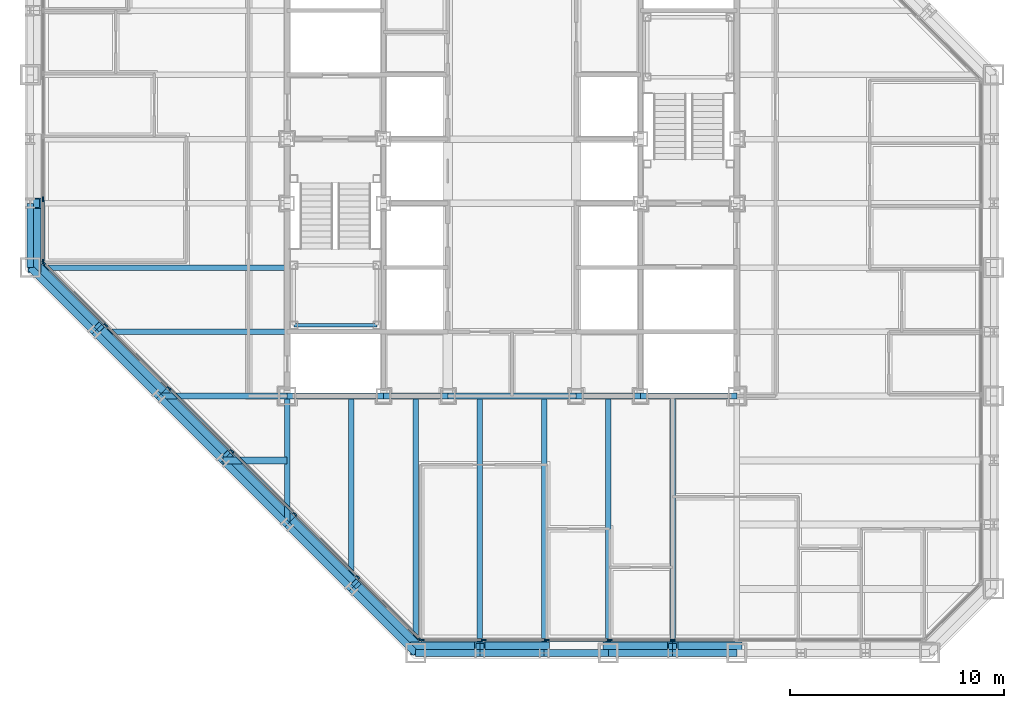
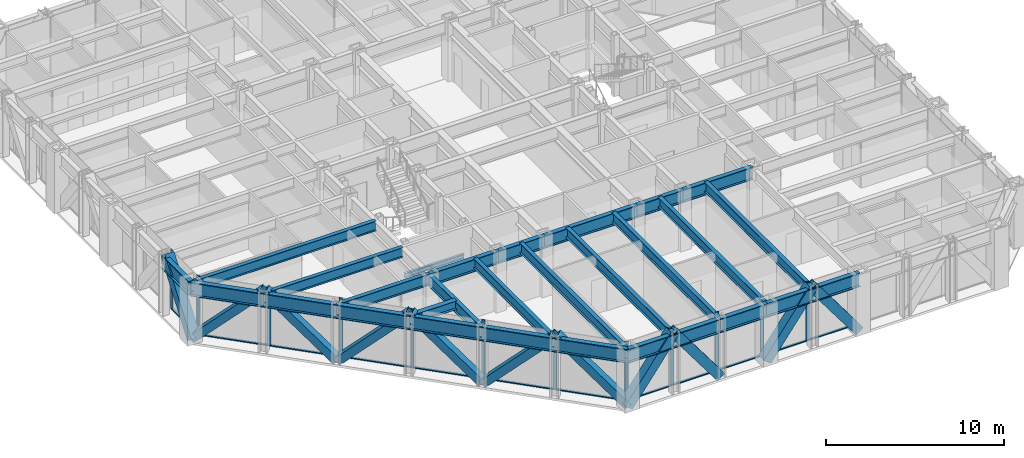
# One storey, part 4 of 16: 37 members, 29 beams, 3 elements without a shape of their own.
"""IFC4 building model written with IfcOpenShell, lengths in metres."""

from ifc_helpers import new_model, si_unit, direction, frame, origin, origin_2d, place, context, subcontext, project, spatial, rectangle, hollow_rectangle, i_section, extrude, material, layer, layer_set, material_profile, profile_set, type_object, element, aggregate, save


model = new_model("IFC4")

# Units and contexts
model_context = context("Model", 3, precision=1e-05, world=origin(), true_north=direction((0.0, 1.0)))
body_context = subcontext(model_context, "Body", "Model", "MODEL_VIEW")
ifc_project = project(units=[si_unit("LENGTHUNIT", "METRE"), si_unit("AREAUNIT", "SQUARE_METRE"), si_unit("VOLUMEUNIT", "CUBIC_METRE"), si_unit("PLANEANGLEUNIT", "RADIAN"), si_unit("MASSUNIT", "GRAM", prefix="KILO")], contexts=[model_context])

# Site, building, storey
site_placement = place(None, origin())
site = spatial("IfcSite", under=ifc_project, at=site_placement, CompositionType="ELEMENT")
building_placement = place(site_placement, origin())
building = spatial("IfcBuilding", under=site, at=building_placement, Name="Chuquiago Exchange Tower", CompositionType="ELEMENT")
storey_placement = place(building_placement, frame((0.0, 0.0, 127.800048828125)))
storey = spatial("IfcBuildingStorey", under=building, at=storey_placement, Name="L27", CompositionType="ELEMENT", Elevation=127.800048828125)

# Beams
ifc_material_1 = material(Name="Steel ASTM A992", Category="steel")
ifc_material_profile_1 = material_profile(ifc_material_1, i_section(OverallWidth=0.25390625, OverallDepth=0.683349609375, WebThickness=0.012451171875, FlangeThickness=0.018798828125, at=origin_2d()), Name="W27X94")
ifc_profile_set_1 = profile_set([ifc_material_profile_1], Name="Steel ASTM A992")
beam_type_1 = type_object("IfcBeamType", Name="B1 W27X94", PredefinedType="BEAM", material=ifc_profile_set_1)
beam_1_placement = place(storey_placement, frame((15.0, 12.0, 3.6982421875), z_axis=(0.0, -1.0, 0.0), x_axis=(1.0, 0.0, 0.0)))
element("IfcBeam", 1, at=beam_1_placement, inside=storey, type_object=beam_type_1, Name="FB-L28-infill-15_12-15_3-0", PredefinedType="BEAM", context=body_context, shape_type="SweptSolid", body=[
    extrude(i_section(OverallWidth=0.25390625, OverallDepth=0.683349609375, WebThickness=0.012451171875, FlangeThickness=0.018798828125, at=origin_2d()), origin(), (0.0, 0.0, 1.0), 9.0),
])
for number, where, z_axis, x_axis, name in (
    (2, (18.0, 12.0, 3.6982421875), (0.0, -1.0, 0.0), (1.0, 0.0, 0.0), "FB-L28-infill-18_12-18_-0-0"),
    (3, (21.0, 12.0, 3.6982421875), (0.0, -1.0, 0.0), (1.0, 0.0, 0.0), "FB-L28-infill-21_12-21_-0-0"),
    (4, (24.0, 12.0, 3.6982421875), (0.0, -1.0, 0.0), (1.0, 0.0, 0.0), "FB-L28-infill-24_12-24_-0-0"),
    (5, (27.0, 12.0, 3.6982421875), (0.0, -1.0, 0.0), (1.0, 0.0, 0.0), "FB-L28-infill-27_12-27_-0-0"),
    (6, (30.0, 12.0, 3.6982421875), (0.0, -1.0, 0.0), (1.0, 0.0, 0.0), "FB-L28-infill-30_12-30_-0-0"),
):
    element("IfcBeam", number, at=place(storey_placement, frame(where, z_axis=z_axis, x_axis=x_axis)), inside=storey, type_object=beam_type_1, Name=name, PredefinedType="BEAM", context=body_context, shape_type="SweptSolid", body=[
        extrude(i_section(OverallWidth=0.25390625, OverallDepth=0.683349609375, WebThickness=0.012451171875, FlangeThickness=0.018798828125, at=origin_2d()), origin(), (0.0, 0.0, 1.0), 12.0),
    ])
beam_2_placement = place(storey_placement, frame((12.0, 15.0, 3.6982421875), z_axis=(-1.0, 0.0, 0.0), x_axis=(0.0, -1.0, 0.0)))
element("IfcBeam", 7, at=beam_2_placement, inside=storey, type_object=beam_type_1, Name="FB-L28-infill-12_15-3_15-0", PredefinedType="BEAM", context=body_context, shape_type="SweptSolid", body=[
    extrude(i_section(OverallWidth=0.25390625, OverallDepth=0.683349609375, WebThickness=0.012451171875, FlangeThickness=0.018798828125, at=origin_2d()), origin(), (0.0, 0.0, 1.0), 9.0),
])
beam_3_placement = place(storey_placement, frame((12.0, 18.0, 3.6982421875), z_axis=(-1.0, 0.0, 0.0), x_axis=(0.0, -1.0, 0.0)))
element("IfcBeam", 8, at=beam_3_placement, inside=storey, type_object=beam_type_1, Name="FB-L28-infill-12_18--0_18-0", PredefinedType="BEAM", context=body_context, shape_type="SweptSolid", body=[
    extrude(i_section(OverallWidth=0.25390625, OverallDepth=0.683349609375, WebThickness=0.012451171875, FlangeThickness=0.018798828125, at=origin_2d()), origin(), (0.0, 0.0, 1.0), 12.0),
])
ifc_material_2 = material(Name="Steel ASTM A992", Category="steel")
ifc_material_profile_2 = material_profile(ifc_material_2, i_section(OverallWidth=0.3251953125, OverallDepth=0.612060546875, WebThickness=0.0126953125, FlangeThickness=0.01904296875, at=origin_2d()), Name="W24X104")
ifc_profile_set_2 = profile_set([ifc_material_profile_2], Name="Steel ASTM A992")
beam_type_2 = type_object("IfcBeamType", Name="B2 W24X104", PredefinedType="BEAM", material=ifc_profile_set_2)
beam_4_placement = place(storey_placement, frame((12.0, 9.0, 3.73388671875), z_axis=(-1.0, 0.0, 0.0), x_axis=(0.0, -1.0, 0.0)))
element("IfcBeam", 9, at=beam_4_placement, inside=storey, type_object=beam_type_2, Name="FB-L28-corner-12_9-9_9-0", PredefinedType="BEAM", context=body_context, shape_type="SweptSolid", body=[
    extrude(i_section(OverallWidth=0.3251953125, OverallDepth=0.612060546875, WebThickness=0.0126953125, FlangeThickness=0.01904296875, at=origin_2d()), origin(), (0.0, 0.0, 1.0), 3.0),
])
ifc_material_3 = material(Name="Steel ASTM A992", Category="steel")
ifc_material_profile_3 = material_profile(ifc_material_3, i_section(OverallWidth=0.2919921875, OverallDepth=0.8583984375, WebThickness=0.01708984375, FlangeThickness=0.031005859375, at=origin_2d()), Name="W33X169")
ifc_profile_set_3 = profile_set([ifc_material_profile_3], Name="Steel ASTM A992")
beam_type_3 = type_object("IfcBeamType", Name="B3 W33X169", PredefinedType="BEAM", material=ifc_profile_set_3)
beam_5_placement = place(storey_placement, frame((12.0, 12.0, 3.610595703125), z_axis=(1.0, 0.0, 0.0), x_axis=(0.0, 1.0, 0.0)))
element("IfcBeam", 10, at=beam_5_placement, inside=storey, type_object=beam_type_3, Name="CB-L28-12_12-16.5_12", PredefinedType="BEAM", context=body_context, shape_type="SweptSolid", body=[
    extrude(i_section(OverallWidth=0.2919921875, OverallDepth=0.8583984375, WebThickness=0.01708984375, FlangeThickness=0.031005859375, at=origin_2d()), origin(), (0.0, 0.0, 1.0), 4.5),
])
beam_6_placement = place(storey_placement, frame((16.5, 12.0, 3.610595703125), z_axis=(1.0, 0.0, 0.0), x_axis=(0.0, 1.0, 0.0)))
element("IfcBeam", 11, at=beam_6_placement, inside=storey, type_object=beam_type_3, Name="CB-L28-16.5_12-19.5_12", PredefinedType="BEAM", context=body_context, shape_type="SweptSolid", body=[
    extrude(i_section(OverallWidth=0.2919921875, OverallDepth=0.8583984375, WebThickness=0.01708984375, FlangeThickness=0.031005859375, at=origin_2d()), origin(), (0.0, 0.0, 1.0), 3.0),
])
beam_7_placement = place(storey_placement, frame((19.5, 12.0, 3.610595703125), z_axis=(1.0, 0.0, 0.0), x_axis=(0.0, 1.0, 0.0)))
element("IfcBeam", 12, at=beam_7_placement, inside=storey, type_object=beam_type_3, Name="CB-L28-19.5_12-25.5_12", PredefinedType="BEAM", context=body_context, shape_type="SweptSolid", body=[
    extrude(i_section(OverallWidth=0.2919921875, OverallDepth=0.8583984375, WebThickness=0.01708984375, FlangeThickness=0.031005859375, at=origin_2d()), origin(), (0.0, 0.0, 1.0), 6.0),
])
beam_8_placement = place(storey_placement, frame((25.5, 12.0, 3.610595703125), z_axis=(1.0, 0.0, 0.0), x_axis=(0.0, 1.0, 0.0)))
element("IfcBeam", 13, at=beam_8_placement, inside=storey, type_object=beam_type_3, Name="CB-L28-25.5_12-28.5_12", PredefinedType="BEAM", context=body_context, shape_type="SweptSolid", body=[
    extrude(i_section(OverallWidth=0.2919921875, OverallDepth=0.8583984375, WebThickness=0.01708984375, FlangeThickness=0.031005859375, at=origin_2d()), origin(), (0.0, 0.0, 1.0), 3.0),
])
beam_9_placement = place(storey_placement, frame((28.5, 12.0, 3.610595703125), z_axis=(1.0, 0.0, 0.0), x_axis=(0.0, 1.0, 0.0)))
element("IfcBeam", 14, at=beam_9_placement, inside=storey, type_object=beam_type_3, Name="CB-L28-28.5_12-33_12", PredefinedType="BEAM", context=body_context, shape_type="SweptSolid", body=[
    extrude(i_section(OverallWidth=0.2919921875, OverallDepth=0.8583984375, WebThickness=0.01708984375, FlangeThickness=0.031005859375, at=origin_2d()), origin(), (0.0, 0.0, 1.0), 4.5),
])

# Curtain wall, members
ifc_material_4 = material(Name="Aluminium curtain wall system", Category="aluminium")
ifc_layer_1 = layer(ifc_material_4, 0.22509765625)
ifc_layer_set_1 = layer_set([ifc_layer_1], Name="CW2 office curtain wall")
curtain_wall_type_1 = type_object("IfcCurtainWallType", Name="CW2 office curtain wall", PredefinedType="NOTDEFINED", material=ifc_layer_set_1)
curtain_wall_1_placement = place(storey_placement, origin())
curtain_wall_1 = element("IfcCurtainWall", 15, at=curtain_wall_1_placement, inside=storey, type_object=curtain_wall_type_1, Name="CW2 curtain wall L27", PredefinedType="NOTDEFINED")
ifc_material_5 = material(Name="Aluminium mullion, pale anodised", Category="aluminium")
ifc_material_profile_4 = material_profile(ifc_material_5, rectangle(XDim=0.06494140625, YDim=0.22509765625, at=origin_2d()), Name="AL 65x225")
ifc_profile_set_4 = profile_set([ifc_material_profile_4], Name="Aluminium mullion, pale anodised")
member_type_1 = type_object("IfcMemberType", Name="CW2-M mullion 65x225", PredefinedType="MULLION", material=ifc_profile_set_4)
member_1_placement = place(storey_placement, frame((18.281005859375, 0.60009765625, 0.0), z_axis=(0.0, 0.0, 1.0), x_axis=(0.0, 1.0, 0.0)))
member_1 = element("IfcMember", 16, at=member_1_placement, type_object=member_type_1, Name="CW2 mullion 1", PredefinedType="MULLION", context=body_context, shape_type="SweptSolid", body=[
    extrude(rectangle(XDim=0.06494140625, YDim=0.22509765625, at=origin_2d()), origin(), (0.0, 0.0, 1.0), 4.0400390625),
])
member_2_placement = place(storey_placement, frame((21.186279296875, 0.60009765625, 0.0), z_axis=(0.0, 0.0, 1.0), x_axis=(0.0, 1.0, 0.0)))
member_2 = element("IfcMember", 17, at=member_2_placement, type_object=member_type_1, Name="CW2 mullion 2", PredefinedType="MULLION", context=body_context, shape_type="SweptSolid", body=[
    extrude(rectangle(XDim=0.06494140625, YDim=0.22509765625, at=origin_2d()), origin(), (0.0, 0.0, 1.0), 4.0400390625),
])
member_3_placement = place(storey_placement, frame((24.124267578125, 0.60009765625, 0.0), z_axis=(0.0, 0.0, 1.0), x_axis=(0.0, 1.0, 0.0)))
member_3 = element("IfcMember", 18, at=member_3_placement, type_object=member_type_1, Name="CW2 mullion 3", PredefinedType="MULLION", context=body_context, shape_type="SweptSolid", body=[
    extrude(rectangle(XDim=0.06494140625, YDim=0.22509765625, at=origin_2d()), origin(), (0.0, 0.0, 1.0), 4.0400390625),
])
member_4_placement = place(storey_placement, frame((27.06201171875, 0.60009765625, 0.0), z_axis=(0.0, 0.0, 1.0), x_axis=(0.0, 1.0, 0.0)))
member_4 = element("IfcMember", 19, at=member_4_placement, type_object=member_type_1, Name="CW2 mullion 4", PredefinedType="MULLION", context=body_context, shape_type="SweptSolid", body=[
    extrude(rectangle(XDim=0.06494140625, YDim=0.22509765625, at=origin_2d()), origin(), (0.0, 0.0, 1.0), 4.0400390625),
])
member_5_placement = place(storey_placement, frame((30.0, 0.60009765625, 0.0), z_axis=(0.0, 0.0, 1.0), x_axis=(0.0, 1.0, 0.0)))
member_5 = element("IfcMember", 20, at=member_5_placement, type_object=member_type_1, Name="CW2 mullion 5", PredefinedType="MULLION", context=body_context, shape_type="SweptSolid", body=[
    extrude(rectangle(XDim=0.06494140625, YDim=0.22509765625, at=origin_2d()), origin(), (0.0, 0.0, 1.0), 4.0400390625),
])

curtain_wall_2_placement = place(storey_placement, origin())
curtain_wall_2 = element("IfcCurtainWall", 21, at=curtain_wall_2_placement, inside=storey, type_object=curtain_wall_type_1, Name="CW2 curtain wall L27", PredefinedType="NOTDEFINED")
member_6_placement = place(storey_placement, frame((0.60009765625, 21.186279296875, 0.0), z_axis=(0.0, 0.0, 1.0), x_axis=(1.0, 0.0, 0.0)))
member_6 = element("IfcMember", 22, at=member_6_placement, type_object=member_type_1, Name="CW2 mullion 8", PredefinedType="MULLION", context=body_context, shape_type="SweptSolid", body=[
    extrude(rectangle(XDim=0.06494140625, YDim=0.22509765625, at=origin_2d()), origin(), (0.0, 0.0, 1.0), 4.0400390625),
])
member_7_placement = place(storey_placement, frame((0.60009765625, 18.281005859375, 0.0), z_axis=(0.0, 0.0, 1.0), x_axis=(1.0, 0.0, 0.0)))
member_7 = element("IfcMember", 23, at=member_7_placement, type_object=member_type_1, Name="CW2 mullion 9", PredefinedType="MULLION", context=body_context, shape_type="SweptSolid", body=[
    extrude(rectangle(XDim=0.06494140625, YDim=0.22509765625, at=origin_2d()), origin(), (0.0, 0.0, 1.0), 4.0400390625),
])

# Member
ifc_material_6 = material(Name="Aluminium transom, pale anodised", Category="aluminium")
ifc_material_profile_5 = material_profile(ifc_material_6, rectangle(XDim=0.139892578125, YDim=0.06494140625, at=origin_2d()), Name="AL 140x65")
ifc_profile_set_5 = profile_set([ifc_material_profile_5], Name="Aluminium transom, pale anodised")
member_type_2 = type_object("IfcMemberType", Name="CW2-T transom 65x140", PredefinedType="MULLION", material=ifc_profile_set_5)
member_8_placement = place(storey_placement, frame((18.3134765625, 0.60009765625, 0.032470703125), z_axis=(1.0, 0.0, 0.0), x_axis=(0.0, 1.0, 0.0)))
member_8 = element("IfcMember", 24, at=member_8_placement, type_object=member_type_2, Name="CW2 transom 1.1", PredefinedType="MULLION", context=body_context, shape_type="SweptSolid", body=[
    extrude(rectangle(XDim=0.139892578125, YDim=0.06494140625, at=origin_2d()), origin(), (0.0, 0.0, 1.0), 2.84033203125),
])

member_9_placement = place(storey_placement, frame((21.218994140625, 0.60009765625, 0.032470703125), z_axis=(1.0, 0.0, 0.0), x_axis=(0.0, 1.0, 0.0)))
member_9 = element("IfcMember", 25, at=member_9_placement, type_object=member_type_2, Name="CW2 transom 2.1", PredefinedType="MULLION", context=body_context, shape_type="SweptSolid", body=[
    extrude(rectangle(XDim=0.139892578125, YDim=0.06494140625, at=origin_2d()), origin(), (0.0, 0.0, 1.0), 2.872802734375),
])

member_10_placement = place(storey_placement, frame((24.15673828125, 0.60009765625, 0.032470703125), z_axis=(1.0, 0.0, 0.0), x_axis=(0.0, 1.0, 0.0)))
member_10 = element("IfcMember", 26, at=member_10_placement, type_object=member_type_2, Name="CW2 transom 3.1", PredefinedType="MULLION", context=body_context, shape_type="SweptSolid", body=[
    extrude(rectangle(XDim=0.139892578125, YDim=0.06494140625, at=origin_2d()), origin(), (0.0, 0.0, 1.0), 2.872802734375),
])

member_11_placement = place(storey_placement, frame((27.0947265625, 0.60009765625, 0.032470703125), z_axis=(1.0, 0.0, 0.0), x_axis=(0.0, 1.0, 0.0)))
member_11 = element("IfcMember", 27, at=member_11_placement, type_object=member_type_2, Name="CW2 transom 4.1", PredefinedType="MULLION", context=body_context, shape_type="SweptSolid", body=[
    extrude(rectangle(XDim=0.139892578125, YDim=0.06494140625, at=origin_2d()), origin(), (0.0, 0.0, 1.0), 2.872802734375),
])

member_12_placement = place(storey_placement, frame((30.032470703125, 0.60009765625, 0.032470703125), z_axis=(1.0, 0.0, 0.0), x_axis=(0.0, 1.0, 0.0)))
member_12 = element("IfcMember", 28, at=member_12_placement, type_object=member_type_2, Name="CW2 transom 5.1", PredefinedType="MULLION", context=body_context, shape_type="SweptSolid", body=[
    extrude(rectangle(XDim=0.139892578125, YDim=0.06494140625, at=origin_2d()), origin(), (0.0, 0.0, 1.0), 2.872802734375),
])

aggregate(curtain_wall_1, [member_1, member_2, member_3, member_4, member_5, member_8, member_9, member_10, member_11, member_12])

member_13_placement = place(storey_placement, frame((0.60009765625, 21.15380859375, 0.032470703125), z_axis=(0.0, -1.0, 0.0), x_axis=(1.0, 0.0, 0.0)))
member_13 = element("IfcMember", 29, at=member_13_placement, type_object=member_type_2, Name="CW2 transom 8.1", PredefinedType="MULLION", context=body_context, shape_type="SweptSolid", body=[
    extrude(rectangle(XDim=0.139892578125, YDim=0.06494140625, at=origin_2d()), origin(), (0.0, 0.0, 1.0), 2.84033203125),
])

aggregate(curtain_wall_2, [member_6, member_7, member_13])

# Curtain wall, members
ifc_material_7 = material(Name="Aluminium curtain wall system", Category="aluminium")
ifc_layer_2 = layer(ifc_material_7, 0.199951171875)
ifc_layer_set_2 = layer_set([ifc_layer_2], Name="CW3 facet curtain wall")
curtain_wall_type_2 = type_object("IfcCurtainWallType", Name="CW3 facet curtain wall", PredefinedType="NOTDEFINED", material=ifc_layer_set_2)
curtain_wall_3_placement = place(storey_placement, origin())
curtain_wall_3 = element("IfcCurtainWall", 30, at=curtain_wall_3_placement, inside=storey, type_object=curtain_wall_type_2, Name="CW3 curtain wall L27", PredefinedType="NOTDEFINED")
ifc_material_8 = material(Name="Aluminium mullion, pale anodised", Category="aluminium")
ifc_material_profile_6 = material_profile(ifc_material_8, rectangle(XDim=0.06494140625, YDim=0.199951171875, at=origin_2d()), Name="AL 65x200")
ifc_profile_set_6 = profile_set([ifc_material_profile_6], Name="Aluminium mullion, pale anodised")
member_type_3 = type_object("IfcMemberType", Name="CW3-M mullion 65x200", PredefinedType="MULLION", material=ifc_profile_set_6)
member_14_placement = place(storey_placement, frame((0.623046875, 18.2255859375, 0.0), z_axis=(0.0, 0.0, 1.0), x_axis=(0.707106781187, 0.707106781187, 0.0)))
member_14 = element("IfcMember", 31, at=member_14_placement, type_object=member_type_3, Name="CW3 mullion 1", PredefinedType="MULLION", context=body_context, shape_type="SweptSolid", body=[
    extrude(rectangle(XDim=0.06494140625, YDim=0.199951171875, at=origin_2d()), origin(), (0.0, 0.0, 1.0), 4.0400390625),
])
member_15_placement = place(storey_placement, frame((3.54150390625, 15.30712890625, 0.0), z_axis=(0.0, 0.0, 1.0), x_axis=(0.707106781187, 0.707106781187, 0.0)))
member_15 = element("IfcMember", 32, at=member_15_placement, type_object=member_type_3, Name="CW3 mullion 2", PredefinedType="MULLION", context=body_context, shape_type="SweptSolid", body=[
    extrude(rectangle(XDim=0.06494140625, YDim=0.199951171875, at=origin_2d()), origin(), (0.0, 0.0, 1.0), 4.0400390625),
])
member_16_placement = place(storey_placement, frame((6.48291015625, 12.36572265625, 0.0), z_axis=(0.0, 0.0, 1.0), x_axis=(0.707106781187, 0.707106781187, 0.0)))
member_16 = element("IfcMember", 33, at=member_16_placement, type_object=member_type_3, Name="CW3 mullion 3", PredefinedType="MULLION", context=body_context, shape_type="SweptSolid", body=[
    extrude(rectangle(XDim=0.06494140625, YDim=0.199951171875, at=origin_2d()), origin(), (0.0, 0.0, 1.0), 4.0400390625),
])
member_17_placement = place(storey_placement, frame((9.42431640625, 9.42431640625, 0.0), z_axis=(0.0, 0.0, 1.0), x_axis=(0.707106781187, 0.707106781187, 0.0)))
member_17 = element("IfcMember", 34, at=member_17_placement, type_object=member_type_3, Name="CW3 mullion 4", PredefinedType="MULLION", context=body_context, shape_type="SweptSolid", body=[
    extrude(rectangle(XDim=0.06494140625, YDim=0.199951171875, at=origin_2d()), origin(), (0.0, 0.0, 1.0), 4.0400390625),
])
member_18_placement = place(storey_placement, frame((12.36572265625, 6.48291015625, 0.0), z_axis=(0.0, 0.0, 1.0), x_axis=(0.707106781187, 0.707106781187, 0.0)))
member_18 = element("IfcMember", 35, at=member_18_placement, type_object=member_type_3, Name="CW3 mullion 5", PredefinedType="MULLION", context=body_context, shape_type="SweptSolid", body=[
    extrude(rectangle(XDim=0.06494140625, YDim=0.199951171875, at=origin_2d()), origin(), (0.0, 0.0, 1.0), 4.0400390625),
])
member_19_placement = place(storey_placement, frame((15.30712890625, 3.54150390625, 0.0), z_axis=(0.0, 0.0, 1.0), x_axis=(0.707106781187, 0.707106781187, 0.0)))
member_19 = element("IfcMember", 36, at=member_19_placement, type_object=member_type_3, Name="CW3 mullion 6", PredefinedType="MULLION", context=body_context, shape_type="SweptSolid", body=[
    extrude(rectangle(XDim=0.06494140625, YDim=0.199951171875, at=origin_2d()), origin(), (0.0, 0.0, 1.0), 4.0400390625),
])
member_20_placement = place(storey_placement, frame((18.2255859375, 0.623046875, 0.0), z_axis=(0.0, 0.0, 1.0), x_axis=(0.707106781187, 0.707106781187, 0.0)))
member_20 = element("IfcMember", 37, at=member_20_placement, type_object=member_type_3, Name="CW3 mullion 7", PredefinedType="MULLION", context=body_context, shape_type="SweptSolid", body=[
    extrude(rectangle(XDim=0.06494140625, YDim=0.199951171875, at=origin_2d()), origin(), (0.0, 0.0, 1.0), 4.0400390625),
])
ifc_material_9 = material(Name="Aluminium transom, pale anodised", Category="aluminium")
ifc_material_profile_7 = material_profile(ifc_material_9, rectangle(XDim=0.139892578125, YDim=0.06494140625, at=origin_2d()), Name="AL 140x65")
ifc_profile_set_7 = profile_set([ifc_material_profile_7], Name="Aluminium transom, pale anodised")
member_type_4 = type_object("IfcMemberType", Name="CW3-T transom 65x140", PredefinedType="MULLION", material=ifc_profile_set_7)
member_21_placement = place(storey_placement, frame((0.64599609375, 18.20263671875, 0.032470703125), z_axis=(0.707106781187, -0.707106781187, 0.0), x_axis=(0.707106781187, 0.707106781187, 0.0)))
member_21 = element("IfcMember", 38, at=member_21_placement, type_object=member_type_4, Name="CW3 transom 1.1", PredefinedType="MULLION", context=body_context, shape_type="SweptSolid", body=[
    extrude(rectangle(XDim=0.139892578125, YDim=0.06494140625, at=origin_2d()), origin(), (0.0, 0.0, 1.0), 4.0625),
])
member_22_placement = place(storey_placement, frame((3.564453125, 15.2841796875, 0.032470703125), z_axis=(0.707106781187, -0.707106781187, 0.0), x_axis=(0.707106781187, 0.707106781187, 0.0)))
member_22 = element("IfcMember", 39, at=member_22_placement, type_object=member_type_4, Name="CW3 transom 2.1", PredefinedType="MULLION", context=body_context, shape_type="SweptSolid", body=[
    extrude(rectangle(XDim=0.139892578125, YDim=0.06494140625, at=origin_2d()), origin(), (0.0, 0.0, 1.0), 4.094970703125),
])
member_23_placement = place(storey_placement, frame((6.505859375, 12.3427734375, 0.032470703125), z_axis=(0.707106781187, -0.707106781187, 0.0), x_axis=(0.707106781187, 0.707106781187, 0.0)))
member_23 = element("IfcMember", 40, at=member_23_placement, type_object=member_type_4, Name="CW3 transom 3.1", PredefinedType="MULLION", context=body_context, shape_type="SweptSolid", body=[
    extrude(rectangle(XDim=0.139892578125, YDim=0.06494140625, at=origin_2d()), origin(), (0.0, 0.0, 1.0), 4.094970703125),
])
member_24_placement = place(storey_placement, frame((9.447265625, 9.4013671875, 0.032470703125), z_axis=(0.707106781187, -0.707106781187, 0.0), x_axis=(0.707106781187, 0.707106781187, 0.0)))
member_24 = element("IfcMember", 41, at=member_24_placement, type_object=member_type_4, Name="CW3 transom 4.1", PredefinedType="MULLION", context=body_context, shape_type="SweptSolid", body=[
    extrude(rectangle(XDim=0.139892578125, YDim=0.06494140625, at=origin_2d()), origin(), (0.0, 0.0, 1.0), 4.094970703125),
])
member_25_placement = place(storey_placement, frame((12.388671875, 6.4599609375, 0.032470703125), z_axis=(0.707106781187, -0.707106781187, 0.0), x_axis=(0.707106781187, 0.707106781187, 0.0)))
member_25 = element("IfcMember", 42, at=member_25_placement, type_object=member_type_4, Name="CW3 transom 5.1", PredefinedType="MULLION", context=body_context, shape_type="SweptSolid", body=[
    extrude(rectangle(XDim=0.139892578125, YDim=0.06494140625, at=origin_2d()), origin(), (0.0, 0.0, 1.0), 4.094970703125),
])
member_26_placement = place(storey_placement, frame((15.330078125, 3.5185546875, 0.032470703125), z_axis=(0.707106781187, -0.707106781187, 0.0), x_axis=(0.707106781187, 0.707106781187, 0.0)))
member_26 = element("IfcMember", 43, at=member_26_placement, type_object=member_type_4, Name="CW3 transom 6.1", PredefinedType="MULLION", context=body_context, shape_type="SweptSolid", body=[
    extrude(rectangle(XDim=0.139892578125, YDim=0.06494140625, at=origin_2d()), origin(), (0.0, 0.0, 1.0), 4.0625),
])
aggregate(curtain_wall_3, [member_14, member_15, member_16, member_17, member_18, member_19, member_20, member_21, member_22, member_23, member_24, member_25, member_26])

# Beams
ifc_material_10 = material(Name="Steel ASTM A992", Category="steel")
ifc_material_profile_8 = material_profile(ifc_material_10, i_section(OverallWidth=0.2666015625, OverallDepth=0.76953125, WebThickness=0.015625, FlangeThickness=0.025390625, at=origin_2d()), Name="W30X132")
ifc_profile_set_8 = profile_set([ifc_material_profile_8], Name="Steel ASTM A992")
beam_type_4 = type_object("IfcBeamType", Name="G1 W30X132", PredefinedType="BEAM", material=ifc_profile_set_8)
for number, where, z_axis, x_axis, name in (
    (44, (12.0, 12.0, 3.655029296875), (0.0, -1.0, 0.0), (1.0, 0.0, 0.0), "FB-L28-girder-12_12-12_6-0"),
    (45, (12.0, 12.0, 3.655029296875), (-1.0, 0.0, 0.0), (0.0, -1.0, 0.0), "FB-L28-girder-12_12-6_12-0"),
):
    element("IfcBeam", number, at=place(storey_placement, frame(where, z_axis=z_axis, x_axis=x_axis)), inside=storey, type_object=beam_type_4, Name=name, PredefinedType="BEAM", context=body_context, shape_type="SweptSolid", body=[
        extrude(i_section(OverallWidth=0.2666015625, OverallDepth=0.76953125, WebThickness=0.015625, FlangeThickness=0.025390625, at=origin_2d()), origin(), (0.0, 0.0, 1.0), 6.0),
    ])

# Members
ifc_material_11 = material(Name="Steel ASTM A500 Grade C", Category="steel")
ifc_material_profile_9 = material_profile(ifc_material_11, hollow_rectangle(XDim=0.508056640625, YDim=0.508056640625, WallThickness=0.017822265625, at=origin_2d()), Name="HSS20X20X3/4")
ifc_profile_set_9 = profile_set([ifc_material_profile_9], Name="Steel ASTM A500 Grade C")
member_type_5 = type_object("IfcMemberType", Name="LB1 HSS20X20X3/4", PredefinedType="BRACE", material=ifc_profile_set_9)
for number, where, z_axis, x_axis, name in (
    (46, (0.177490234375, 18.177490234375, 0.0), (0.512077265487, -0.512077265487, 0.689604051861), (0.707106781187, 0.707106781187, 0.0), "LB-L27-0_18-3_15"),
    (47, (6.177490234375, 12.177490234375, 0.0), (-0.512077265487, 0.512077265487, 0.689604051861), (-0.707106781187, -0.707106781187, 0.0), "LB-L27-3_15-6_12"),
    (48, (6.177490234375, 12.177490234375, 0.0), (0.512077265487, -0.512077265487, 0.689604051861), (0.707106781187, 0.707106781187, 0.0), "LB-L27-6_12-9_9"),
    (49, (12.177490234375, 6.177490234375, 0.0), (-0.512077265487, 0.512077265487, 0.689604051861), (-0.707106781187, -0.707106781187, 0.0), "LB-L27-9_9-12_6"),
    (50, (12.177490234375, 6.177490234375, 0.0), (0.512077265487, -0.512077265487, 0.689604051861), (0.707106781187, 0.707106781187, 0.0), "LB-L27-12_6-15_3"),
    (51, (18.177490234375, 0.177490234375, 0.0), (-0.512077265487, 0.512077265487, 0.689604051861), (-0.707106781187, -0.707106781187, 0.0), "LB-L27-15_3-18_0"),
):
    element("IfcMember", number, at=place(storey_placement, frame(where, z_axis=z_axis, x_axis=x_axis)), inside=storey, type_object=member_type_5, Name=name, PredefinedType="BRACE", context=body_context, shape_type="SweptSolid", body=[
        extrude(hollow_rectangle(XDim=0.508056640625, YDim=0.508056640625, WallThickness=0.017822265625, at=origin_2d()), origin(), (0.0, 0.0, 1.0), 5.8583984375),
    ])

# Beam
ifc_material_12 = material(Name="Steel ASTM A992", Category="steel")
ifc_material_profile_10 = material_profile(ifc_material_12, i_section(OverallWidth=0.164794921875, OverallDepth=0.309814453125, WebThickness=0.005859375, FlangeThickness=0.009765625, at=origin_2d()), Name="W12X26")
ifc_profile_set_10 = profile_set([ifc_material_profile_10], Name="Steel ASTM A992")
beam_type_5 = type_object("IfcBeamType", Name="LT1 W12X26", PredefinedType="BEAM", material=ifc_profile_set_10)
beam_10_placement = place(storey_placement, frame((12.31005859375, 15.31005859375, 1.7451171875), z_axis=(1.0, 0.0, 0.0), x_axis=(0.0, 1.0, 0.0)))
element("IfcBeam", 52, at=beam_10_placement, inside=storey, type_object=beam_type_5, Name="Stair ST1 L27 landing 1 trimmer", PredefinedType="BEAM", context=body_context, shape_type="SweptSolid", body=[
    extrude(i_section(OverallWidth=0.164794921875, OverallDepth=0.309814453125, WebThickness=0.005859375, FlangeThickness=0.009765625, at=origin_2d()), origin(), (0.0, 0.0, 1.0), 3.8798828125),
])

# Members
ifc_material_13 = material(Name="Steel ASTM A572 Grade 50", Category="steel")
ifc_material_profile_11 = material_profile(ifc_material_13, hollow_rectangle(XDim=0.60009765625, YDim=0.60009765625, WallThickness=0.06005859375, at=origin_2d()), Name="BOX600X600X60")
ifc_profile_set_11 = profile_set([ifc_material_profile_11], Name="Steel ASTM A572 Grade 50")
member_type_6 = type_object("IfcMemberType", Name="MB2 BOX600X600X60", PredefinedType="BRACE", material=ifc_profile_set_11)
for number, where, z_axis, x_axis, name in (
    (53, (18.0, 0.205078125, 0.0), (0.596173923302, 0.0, 0.802855312728), (0.0, 1.0, 0.0), "Mega diagonal L27 S face"),
    (54, (24.0, 0.205078125, 0.0), (-0.596173923302, 0.0, 0.802855312728), (0.0, -1.0, 0.0), "Mega diagonal L27 S face"),
    (55, (27.0, 0.205078125, 0.0), (0.596173923302, 0.0, 0.802855312728), (0.0, 1.0, 0.0), "Mega diagonal L27 S face"),
    (56, (33.0, 0.205078125, 0.0), (-0.596173923302, 0.0, 0.802855312728), (0.0, -1.0, 0.0), "Mega diagonal L27 S face"),
    (57, (0.205078125, 18.0, 0.0), (0.0, 0.596173923302, 0.802855312728), (-1.0, 0.0, 0.0), "Mega diagonal L27 W face"),
):
    element("IfcMember", number, at=place(storey_placement, frame(where, z_axis=z_axis, x_axis=x_axis)), inside=storey, type_object=member_type_6, Name=name, PredefinedType="BRACE", context=body_context, shape_type="SweptSolid", body=[
        extrude(hollow_rectangle(XDim=0.60009765625, YDim=0.60009765625, WallThickness=0.06005859375, at=origin_2d()), origin(), (0.0, 0.0, 1.0), 5.031982421875),
    ])

# Beams
ifc_material_14 = material(Name="Steel ASTM A992", Category="steel")
ifc_material_profile_12 = material_profile(ifc_material_14, i_section(OverallWidth=0.309814453125, OverallDepth=0.949951171875, WebThickness=0.0244140625, FlangeThickness=0.0439453125, at=origin_2d()), Name="W36X256")
ifc_profile_set_12 = profile_set([ifc_material_profile_12], Name="Steel ASTM A992")
beam_type_6 = type_object("IfcBeamType", Name="SP2 W36X256", PredefinedType="SPANDREL", material=ifc_profile_set_12)
for number, where, z_axis, x_axis, name in (
    (58, (18.0, 0.0, 3.56494140625), (1.0, 0.0, 0.0), (0.0, 1.0, 0.0), "SPB-L28-18_0-21_0"),
    (59, (21.0, 0.0, 3.56494140625), (1.0, 0.0, 0.0), (0.0, 1.0, 0.0), "SPB-L28-21_0-24_0"),
    (60, (24.0, 0.0, 3.56494140625), (1.0, 0.0, 0.0), (0.0, 1.0, 0.0), "SPB-L28-24_0-27_0"),
    (61, (27.0, 0.0, 3.56494140625), (1.0, 0.0, 0.0), (0.0, 1.0, 0.0), "SPB-L28-27_0-30_0"),
    (62, (30.0, 0.0, 3.56494140625), (1.0, 0.0, 0.0), (0.0, 1.0, 0.0), "SPB-L28-30_0-33_0"),
    (63, (0.0, 21.0, 3.56494140625), (0.0, -1.0, 0.0), (1.0, 0.0, 0.0), "SPB-L28-0_21-0_18"),
):
    element("IfcBeam", number, at=place(storey_placement, frame(where, z_axis=z_axis, x_axis=x_axis)), inside=storey, type_object=beam_type_6, Name=name, PredefinedType="SPANDREL", context=body_context, shape_type="SweptSolid", body=[
        extrude(i_section(OverallWidth=0.309814453125, OverallDepth=0.949951171875, WebThickness=0.0244140625, FlangeThickness=0.0439453125, at=origin_2d()), origin(), (0.0, 0.0, 1.0), 3.0),
    ])
for number, where, z_axis, x_axis, name in (
    (64, (0.0, 18.0, 3.56494140625), (0.707106781187, -0.707106781187, 0.0), (0.707106781187, 0.707106781187, 0.0), "SPB-L28-0_18-3_15"),
    (65, (3.0, 15.0, 3.56494140625), (0.707106781187, -0.707106781187, 0.0), (0.707106781187, 0.707106781187, 0.0), "SPB-L28-3_15-6_12"),
    (66, (6.0, 12.0, 3.56494140625), (0.707106781187, -0.707106781187, 0.0), (0.707106781187, 0.707106781187, 0.0), "SPB-L28-6_12-9_9"),
    (67, (9.0, 9.0, 3.56494140625), (0.707106781187, -0.707106781187, 0.0), (0.707106781187, 0.707106781187, 0.0), "SPB-L28-9_9-12_6"),
    (68, (12.0, 6.0, 3.56494140625), (0.707106781187, -0.707106781187, 0.0), (0.707106781187, 0.707106781187, 0.0), "SPB-L28-12_6-15_3"),
    (69, (15.0, 3.0, 3.56494140625), (0.707106781187, -0.707106781187, 0.0), (0.707106781187, 0.707106781187, 0.0), "SPB-L28-15_3-18_0"),
):
    element("IfcBeam", number, at=place(storey_placement, frame(where, z_axis=z_axis, x_axis=x_axis)), inside=storey, type_object=beam_type_6, Name=name, PredefinedType="SPANDREL", context=body_context, shape_type="SweptSolid", body=[
        extrude(i_section(OverallWidth=0.309814453125, OverallDepth=0.949951171875, WebThickness=0.0244140625, FlangeThickness=0.0439453125, at=origin_2d()), origin(), (0.0, 0.0, 1.0), 4.24267578125),
    ])

save(model, "model.ifc")
